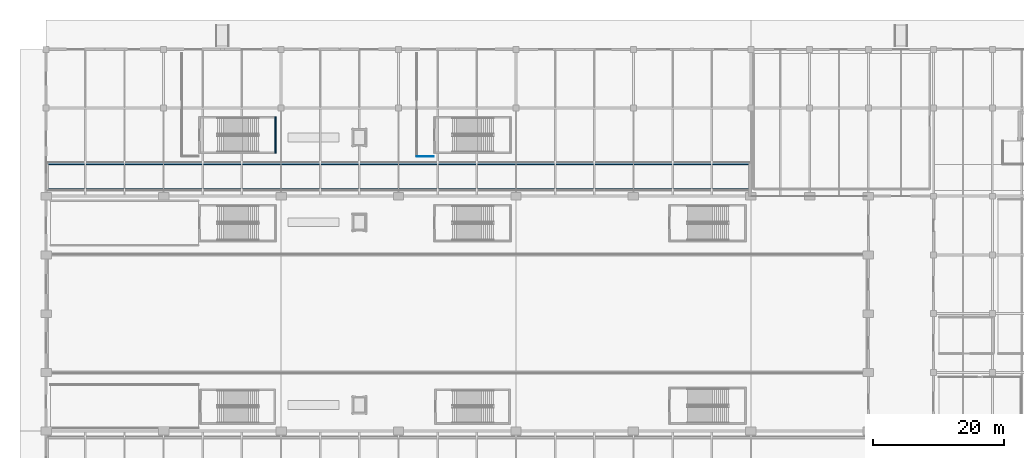
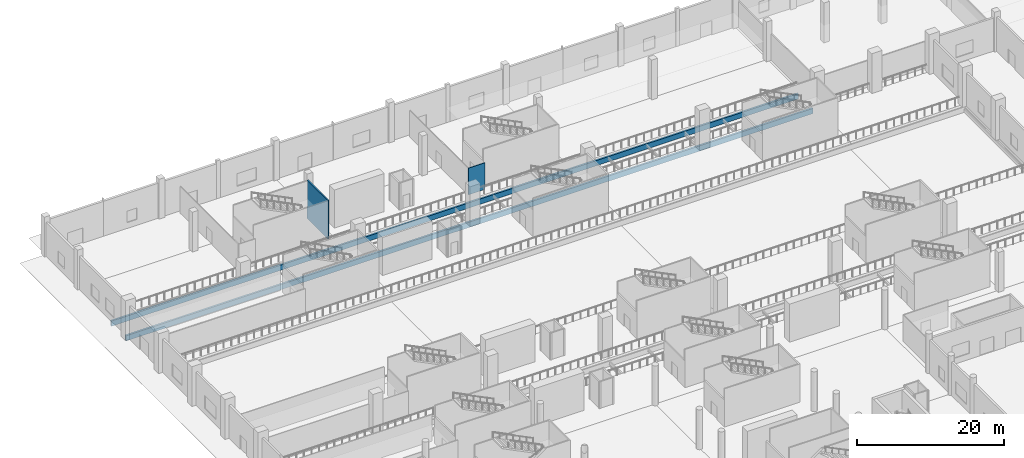
# One storey, part 18 of 65: 4 walls.
"""IFC4 building model written with IfcOpenShell, lengths in metres."""

from ifc_helpers import new_model, si_unit, direction, frame, frame_2d, origin, place, context, subcontext, project, spatial, rectangle, extrude, material, layer, layer_set, type_object, element, save


model = new_model("IFC4")

# Units and contexts
model_context = context("Model", 3, precision=1e-05, world=origin(), true_north=direction((0.0, 1.0)))
body_context = subcontext(model_context, "Body", "Model", "MODEL_VIEW")
ifc_project = project(units=[si_unit("LENGTHUNIT", "METRE"), si_unit("AREAUNIT", "SQUARE_METRE"), si_unit("VOLUMEUNIT", "CUBIC_METRE"), si_unit("PLANEANGLEUNIT", "RADIAN"), si_unit("MASSUNIT", "GRAM", prefix="KILO")], contexts=[model_context])

# Site, building, storey
site_placement = place(None, origin())
site = spatial("IfcSite", under=ifc_project, at=site_placement, CompositionType="ELEMENT")
building_placement = place(site_placement, origin())
building = spatial("IfcBuilding", under=site, at=building_placement, Name="Chuanluo Vaults Station", CompositionType="ELEMENT")
storey_placement = place(building_placement, origin())
storey = spatial("IfcBuildingStorey", under=building, at=storey_placement, Name="L00", CompositionType="ELEMENT", Elevation=0.0)

# Walls
ifc_material_1 = material(Name="Concrete C40", Category="concrete")
ifc_layer_1 = layer(ifc_material_1, 0.300048828125)
ifc_layer_set_1 = layer_set([ifc_layer_1], Name="Concrete C40")
wall_type_1 = type_object("IfcWallType", Name="WL-EXT-300", PredefinedType="SOLIDWALL", material=ifc_layer_set_1)
for number, where, z_axis, x_axis, name in (
    (1, (0.14990234375, 104.5, -1.25), (0.0, 0.0, 1.0), (1.0, 0.0, 0.0), "Platform under-apron closure wall 5"),
    (2, (0.14990234375, 108.5, -1.25), (0.0, 0.0, 1.0), (1.0, 0.0, 0.0), "Platform under-apron closure wall 6"),
):
    element("IfcWall", number, at=place(storey_placement, frame(where, z_axis=z_axis, x_axis=x_axis)), inside=storey, type_object=wall_type_1, Name=name, PredefinedType="SOLIDWALL", context=body_context, shape_type="SweptSolid", body=[
        extrude(rectangle(XDim=107.7001953125, YDim=0.300048828125, at=frame_2d((53.85009765625, 0.0))), origin(), (0.0, 0.0, 1.0), 0.8701171875),
    ])
ifc_material_2 = material(Name="Masonry blockwork M10", Category="masonry")
ifc_layer_2 = layer(ifc_material_2, 0.1201171875)
ifc_layer_set_2 = layer_set([ifc_layer_2], Name="Masonry blockwork M10")
wall_type_2 = type_object("IfcWallType", Name="WL-PRT-120", PredefinedType="PARTITIONING", material=ifc_layer_set_2)
wall_1_placement = place(storey_placement, frame((59.39990234375, 109.60009765625, 0.0), z_axis=(0.0, 0.0, 1.0), x_axis=(-1.0, 0.0, 0.0)))
element("IfcWall", 3, at=wall_1_placement, inside=storey, type_object=wall_type_2, Name="L00-EX17 Stair ST-17 Protected North Exit Passage S partition", PredefinedType="PARTITIONING", context=body_context, shape_type="SweptSolid", body=[
    extrude(rectangle(XDim=2.599853515625, YDim=0.1201171875, at=frame_2d((1.2998046875, 0.0))), origin(), (0.0, 0.0, 1.0), 4.39990234375),
])
ifc_material_3 = material(Name="Concrete C40", Category="concrete")
ifc_layer_3 = layer(ifc_material_3, 0.199951171875)
ifc_layer_set_3 = layer_set([ifc_layer_3], Name="Concrete C40")
wall_type_3 = type_object("IfcWallType", Name="WL-SHF-200", PredefinedType="SOLIDWALL", material=ifc_layer_set_3)
wall_2_placement = place(storey_placement, frame((35.14990234375, 110.050048828125, 0.0), z_axis=(0.0, 0.0, 1.0), x_axis=(0.0, 1.0, 0.0)))
element("IfcWall", 4, at=wall_2_placement, inside=storey, type_object=wall_type_3, Name="Stair ST-16 far shaft wall L00", PredefinedType="SOLIDWALL", context=body_context, shape_type="SweptSolid", body=[
    extrude(rectangle(XDim=5.64990234375, YDim=0.199951171875, at=frame_2d((2.824951171875, 0.0))), origin(), (0.0, 0.0, 1.0), 6.320068359375),
])

save(model, "model.ifc")
